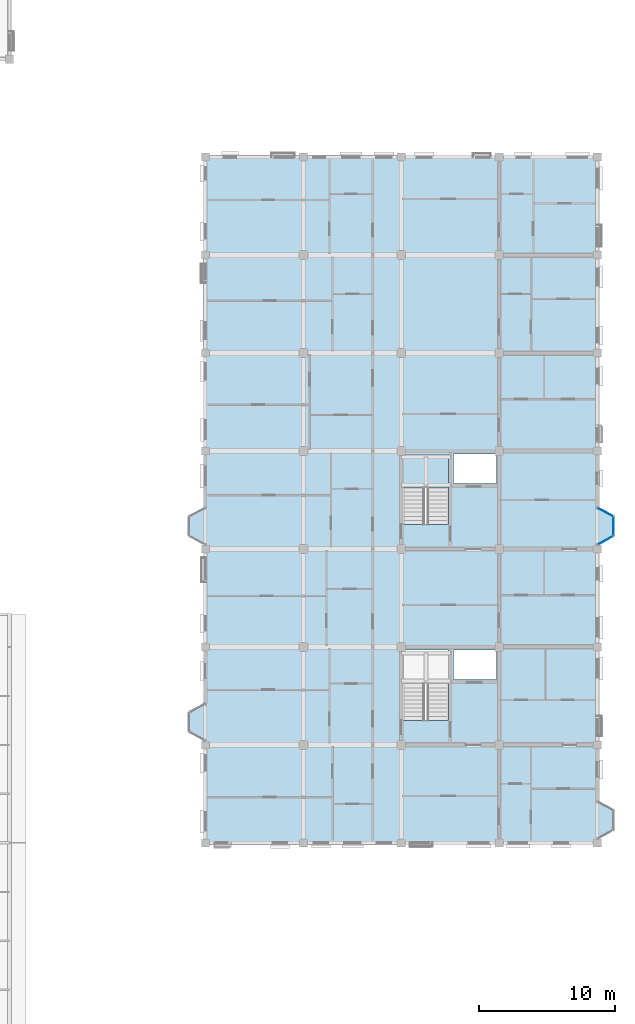
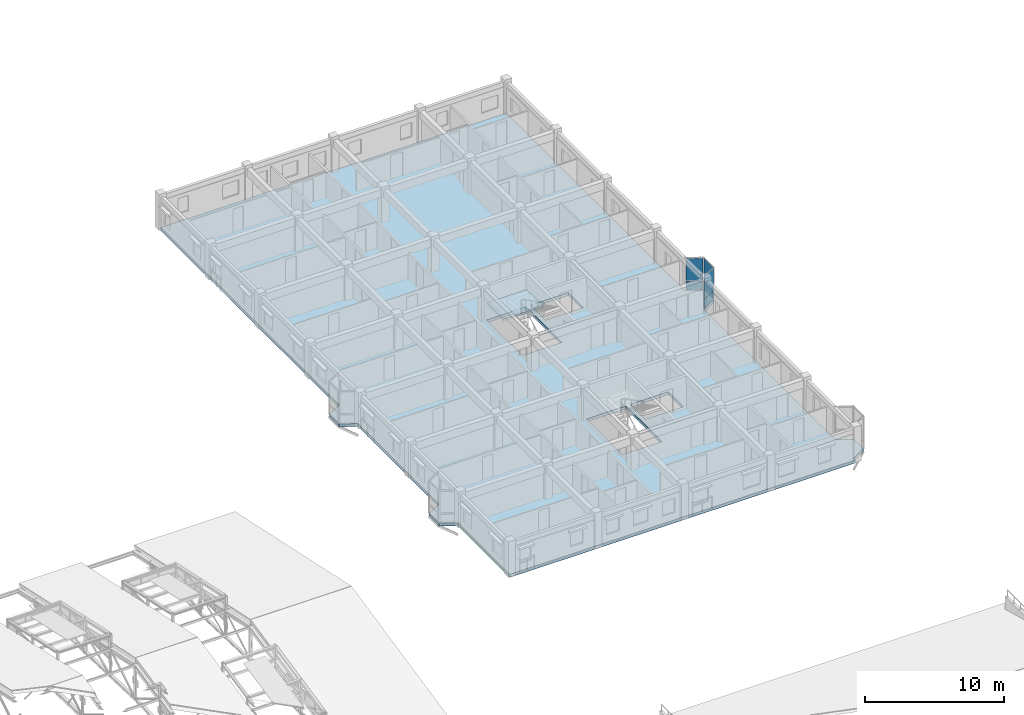
# One storey, part 82 of 124: 6 plates, 2 slabs, 4 elements without a shape of their own.
"""IFC4 building model written with IfcOpenShell, lengths in metres."""

from ifc_helpers import new_model, si_unit, direction, frame, origin, origin_2d, place, context, subcontext, project, spatial, polyline, rectangle, outline, extrude, material, layer, layer_set, type_object, element, aggregate, save


model = new_model("IFC4")

# Units and contexts
model_context = context("Model", 3, precision=1e-05, world=origin(), true_north=direction((0.0, 1.0)))
body_context = subcontext(model_context, "Body", "Model", "MODEL_VIEW")
ifc_project = project(units=[si_unit("LENGTHUNIT", "METRE"), si_unit("AREAUNIT", "SQUARE_METRE"), si_unit("VOLUMEUNIT", "CUBIC_METRE"), si_unit("PLANEANGLEUNIT", "RADIAN"), si_unit("MASSUNIT", "GRAM", prefix="KILO"), si_unit("THERMODYNAMICTEMPERATUREUNIT", "KELVIN"), si_unit("POWERUNIT", "WATT")], contexts=[model_context])

# Site, building, storey
site_placement = place(None, origin())
site = spatial("IfcSite", under=ifc_project, at=site_placement, CompositionType="ELEMENT")
building_placement = place(site_placement, origin())
building = spatial("IfcBuilding", under=site, at=building_placement, Name="Tavuni Mirador Residences", CompositionType="ELEMENT")
storey_placement = place(building_placement, frame((0.0, 0.0, 7.64990234375)))
storey = spatial("IfcBuildingStorey", under=building, at=storey_placement, Name="L02", CompositionType="ELEMENT", Elevation=7.64990234375)

# Curtain wall, plate
ifc_material_1 = material(Name="Anodised aluminium", Category="aluminium")
ifc_layer_1 = layer(ifc_material_1, 0.14990234375, Name="Anodised aluminium", Category="aluminium")
ifc_layer_set_1 = layer_set([ifc_layer_1], Name="Anodised aluminium")
curtain_wall_type_1 = type_object("IfcCurtainWallType", Name="CWT-MIR-B", PredefinedType="NOTDEFINED", material=ifc_layer_set_1)
curtain_wall_1_placement = place(storey_placement, origin())
curtain_wall_1 = element("IfcCurtainWall", 1, at=curtain_wall_1_placement, inside=storey, type_object=curtain_wall_type_1, Name="CW-MIR-D-E2-L02-M1", PredefinedType="NOTDEFINED")
ifc_material_2 = material(Name="Laminated solar-control glass", Category="glass")
ifc_layer_2 = layer(ifc_material_2, 0.028076171875, Name="Laminated solar-control glass", Category="glass")
ifc_layer_set_2 = layer_set([ifc_layer_2], Name="Laminated solar-control glass")
plate_type_1 = type_object("IfcPlateType", Name="CWP-GL28", PredefinedType="CURTAIN_PANEL", material=ifc_layer_set_2)
plate_1_placement = place(storey_placement, frame((119.39990234375, 108.6298828125, 0.882568359375), z_axis=(0.0, 0.0, 1.0), x_axis=(0.876215908676, 0.481918749773, 0.0)))
plate_1 = element("IfcPlate", 2, at=plate_1_placement, type_object=plate_type_1, Name="CW-02 panel 1.2", PredefinedType="CURTAIN_PANEL", context=body_context, shape_type="SweptSolid", body=[
    extrude(rectangle(XDim=1.239501953125, YDim=0.028076171875, at=origin_2d()), origin(), (0.0, 0.0, 1.0), 1.9423828125),
])

ifc_layer_3 = layer(ifc_material_1, 0.175048828125, Name="Anodised aluminium", Category="aluminium")
ifc_layer_set_3 = layer_set([ifc_layer_3], Name="Anodised aluminium")
curtain_wall_type_2 = type_object("IfcCurtainWallType", Name="CWT-MIR-C", PredefinedType="NOTDEFINED", material=ifc_layer_set_3)
curtain_wall_2_placement = place(storey_placement, origin())
curtain_wall_2 = element("IfcCurtainWall", 3, at=curtain_wall_2_placement, inside=storey, type_object=curtain_wall_type_2, Name="CW-MIR-D-E2-L02-MF", PredefinedType="NOTDEFINED")
ifc_layer_4 = layer(ifc_material_2, 0.031982421875, Name="Laminated solar-control glass", Category="glass")
ifc_layer_set_4 = layer_set([ifc_layer_4], Name="Laminated solar-control glass")
plate_type_2 = type_object("IfcPlateType", Name="CWP-GL32", PredefinedType="CURTAIN_PANEL", material=ifc_layer_set_4)
plate_2_placement = place(storey_placement, frame((120.0, 109.669921875, 0.8798828125), z_axis=(0.0, 0.0, 1.0), x_axis=(0.0, 1.0, 0.0)))
plate_2 = element("IfcPlate", 4, at=plate_2_placement, type_object=plate_type_2, Name="CW-03 panel 1.2", PredefinedType="CURTAIN_PANEL", context=body_context, shape_type="SweptSolid", body=[
    extrude(rectangle(XDim=1.300048828125, YDim=0.031982421875, at=origin_2d()), origin(), (0.0, 0.0, 1.0), 1.949951171875),
])

ifc_layer_5 = layer(ifc_material_1, 0.159912109375, Name="Anodised aluminium", Category="aluminium")
ifc_layer_set_5 = layer_set([ifc_layer_5], Name="Anodised aluminium")
curtain_wall_type_3 = type_object("IfcCurtainWallType", Name="CWT-MIR-D", PredefinedType="NOTDEFINED", material=ifc_layer_set_5)
curtain_wall_3_placement = place(storey_placement, origin())
curtain_wall_3 = element("IfcCurtainWall", 5, at=curtain_wall_3_placement, inside=storey, type_object=curtain_wall_type_3, Name="CW-MIR-D-E2-L02-M2", PredefinedType="NOTDEFINED")
ifc_layer_6 = layer(ifc_material_2, 0.035888671875, Name="Laminated solar-control glass", Category="glass")
ifc_layer_set_6 = layer_set([ifc_layer_6], Name="Laminated solar-control glass")
plate_type_3 = type_object("IfcPlateType", Name="CWP-GL36", PredefinedType="CURTAIN_PANEL", material=ifc_layer_set_6)
plate_3_placement = place(storey_placement, frame((119.39990234375, 110.699951171875, 0.882568359375), z_axis=(0.0, 0.0, 1.0), x_axis=(-0.882352941175, 0.470588235296, 0.0)))
plate_3 = element("IfcPlate", 6, at=plate_3_placement, type_object=plate_type_3, Name="CW-04 panel 1.2", PredefinedType="CURTAIN_PANEL", context=body_context, shape_type="SweptSolid", body=[
    extrude(rectangle(XDim=1.22998046875, YDim=0.035888671875, at=origin_2d()), origin(), (0.0, 0.0, 1.0), 1.9423828125),
])

# Plate
ifc_material_3 = material(Name="Ceramic trencadis mosaic panel", Category="masonry")
ifc_layer_7 = layer(ifc_material_3, 0.0419921875, Name="Ceramic trencadis mosaic panel", Category="masonry")
ifc_layer_set_7 = layer_set([ifc_layer_7], Name="Ceramic trencadis mosaic panel")
plate_type_4 = type_object("IfcPlateType", Name="CWP-SP42", PredefinedType="CURTAIN_PANEL", material=ifc_layer_set_7)
plate_4_placement = place(storey_placement, frame((120.0, 109.669921875, 0.06005859375), z_axis=(0.0, 0.0, 1.0), x_axis=(0.0, 1.0, 0.0)))
plate_4 = element("IfcPlate", 7, at=plate_4_placement, type_object=plate_type_4, Name="CW-03 panel 1.1", PredefinedType="CURTAIN_PANEL", context=body_context, shape_type="SweptSolid", body=[
    extrude(rectangle(XDim=1.300048828125, YDim=0.0419921875, at=origin_2d()), origin(), (0.0, 0.0, 1.0), 0.760009765625),
])

aggregate(curtain_wall_2, [plate_4, plate_2])

ifc_layer_8 = layer(ifc_material_3, 0.048095703125, Name="Ceramic trencadis mosaic panel", Category="masonry")
ifc_layer_set_8 = layer_set([ifc_layer_8], Name="Ceramic trencadis mosaic panel")
plate_type_5 = type_object("IfcPlateType", Name="CWP-SP48", PredefinedType="CURTAIN_PANEL", material=ifc_layer_set_8)
plate_5_placement = place(storey_placement, frame((119.39990234375, 108.6298828125, 0.065185546875), z_axis=(0.0, 0.0, 1.0), x_axis=(0.876215908676, 0.481918749773, 0.0)))
plate_5 = element("IfcPlate", 8, at=plate_5_placement, type_object=plate_type_5, Name="CW-02 panel 1.1", PredefinedType="CURTAIN_PANEL", context=body_context, shape_type="SweptSolid", body=[
    extrude(rectangle(XDim=1.239501953125, YDim=0.048095703125, at=origin_2d()), origin(), (0.0, 0.0, 1.0), 0.75244140625),
])

aggregate(curtain_wall_1, [plate_5, plate_1])

plate_6_placement = place(storey_placement, frame((119.39990234375, 110.699951171875, 0.065185546875), z_axis=(0.0, 0.0, 1.0), x_axis=(-0.882352941175, 0.470588235296, 0.0)))
plate_6 = element("IfcPlate", 9, at=plate_6_placement, type_object=plate_type_5, Name="CW-04 panel 1.1", PredefinedType="CURTAIN_PANEL", context=body_context, shape_type="SweptSolid", body=[
    extrude(rectangle(XDim=1.22998046875, YDim=0.048095703125, at=origin_2d()), origin(), (0.0, 0.0, 1.0), 0.75244140625),
])

aggregate(curtain_wall_3, [plate_6, plate_3])

# Slab
ifc_material_4 = material(Name="Prestressed concrete C45/55", Category="concrete")
ifc_layer_9 = layer(ifc_material_4, 0.260009765625, Name="Prestressed concrete C45/55", Category="concrete")
ifc_layer_set_9 = layer_set([ifc_layer_9], Name="Prestressed concrete C45/55")
slab_type_1 = type_object("IfcSlabType", Name="SLT-FLR260", PredefinedType="FLOOR", material=ifc_layer_set_9)
slab_1_placement = place(storey_placement, frame((0.0, 0.0, -0.260009765625)))
element("IfcSlab", 10, at=slab_1_placement, inside=storey, type_object=slab_type_1, Name="SLB-BLK-D-L02", PredefinedType="FLOOR", context=body_context, shape_type="SweptSolid", body=[
    extrude(outline(polyline([(90.0, 86.39990234375), (118.800048828125, 86.39990234375), (118.800048828125, 86.699951171875), (120.0, 87.360107421875), (120.0, 88.780029296875), (118.800048828125, 89.419921875), (118.800048828125, 108.300048828125), (120.0, 108.9599609375), (120.0, 110.3798828125), (118.800048828125, 111.02001953125), (118.800048828125, 136.800048828125), (90.0, 136.800048828125), (90.0, 111.02001953125), (88.800048828125, 110.3798828125), (88.800048828125, 108.9599609375), (90.0, 108.300048828125), (90.0, 96.6201171875), (88.800048828125, 95.97998046875), (88.800048828125, 94.56005859375), (90.0, 93.89990234375), (90.0, 86.39990234375)]), holes=[polyline([(104.56005859375, 95.407958984375), (107.840087890625, 95.407958984375), (107.840087890625, 100.56005859375), (104.56005859375, 100.56005859375), (104.56005859375, 95.407958984375)]), polyline([(108.219970703125, 98.419921875), (111.3798828125, 98.419921875), (111.3798828125, 100.580078125), (108.219970703125, 100.580078125), (108.219970703125, 98.419921875)]), polyline([(104.56005859375, 109.80810546875), (107.840087890625, 109.80810546875), (107.840087890625, 114.9599609375), (104.56005859375, 114.9599609375), (104.56005859375, 109.80810546875)]), polyline([(108.219970703125, 112.820068359375), (111.3798828125, 112.820068359375), (111.3798828125, 114.97998046875), (108.219970703125, 114.97998046875), (108.219970703125, 112.820068359375)])]), origin(), (0.0, 0.0, 1.0), 0.260009765625),
])

# Stair, slab
ifc_material_5 = material(Name="Precast concrete C40/50", Category="concrete")
stair_type = type_object("IfcStairType", Name="STT-TYP", PredefinedType="HALF_TURN_STAIR", material=ifc_material_5)
stair_placement = place(storey_placement, origin())
stair = element("IfcStair", 11, at=stair_placement, inside=storey, type_object=stair_type, Name="Protected exit stair ST8 (L02)", PredefinedType="HALF_TURN_STAIR")
ifc_layer_10 = layer(ifc_material_5, 0.179931640625, Name="Precast concrete C40/50", Category="concrete")
ifc_layer_set_10 = layer_set([ifc_layer_10], Name="Precast concrete C40/50")
slab_type_2 = type_object("IfcSlabType", Name="SLT-LND180", PredefinedType="LANDING", material=ifc_layer_set_10)
slab_2_placement = place(storey_placement, frame((0.0, 0.0, 1.39501953125)))
slab_2 = element("IfcSlab", 12, at=slab_2_placement, type_object=slab_type_2, Name="ST8 landing 1", PredefinedType="LANDING", context=body_context, shape_type="SweptSolid", body=[
    extrude(outline(polyline([(104.5400390625, 112.491943359375), (107.860107421875, 112.491943359375), (107.860107421875, 114.89990234375), (104.5400390625, 114.89990234375), (104.5400390625, 112.491943359375)])), origin(), (0.0, 0.0, 1.0), 0.18017578125),
])
aggregate(stair, [slab_2])

save(model, "model.ifc")
